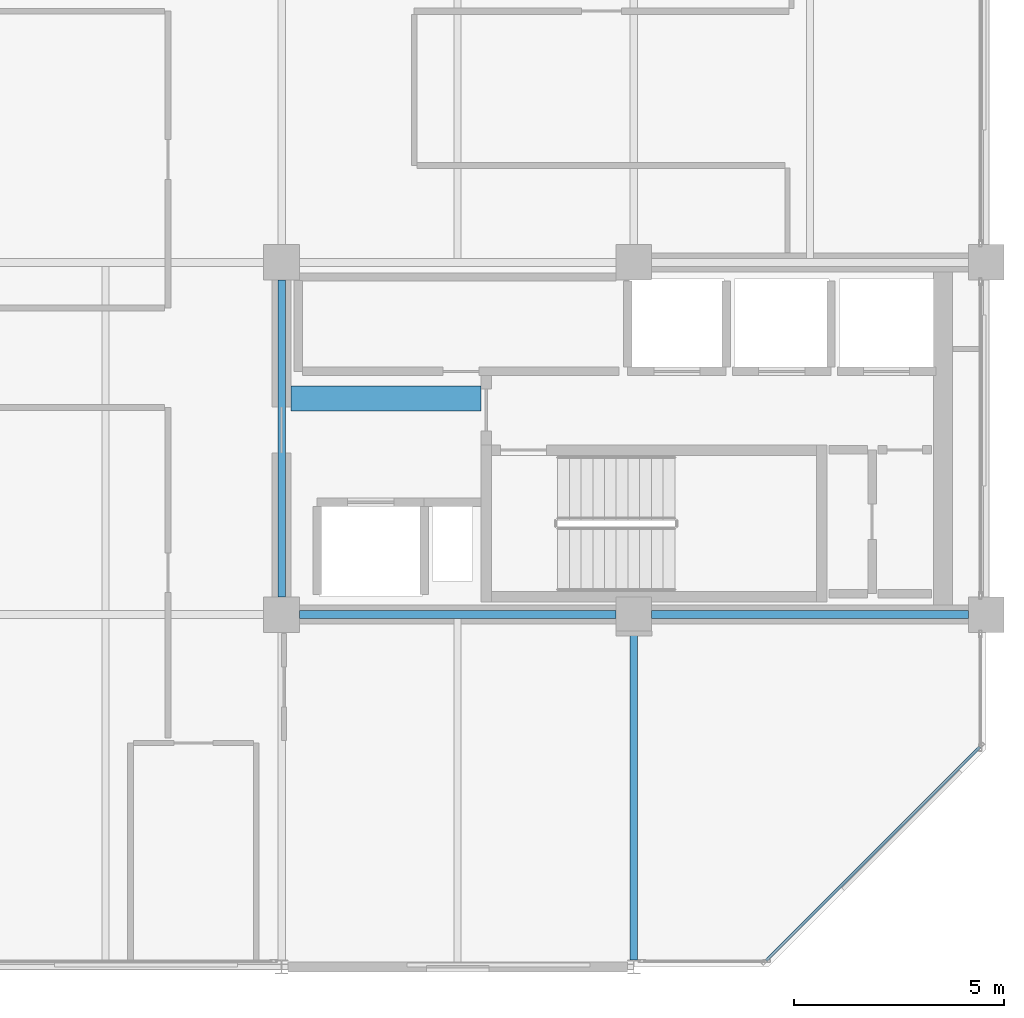
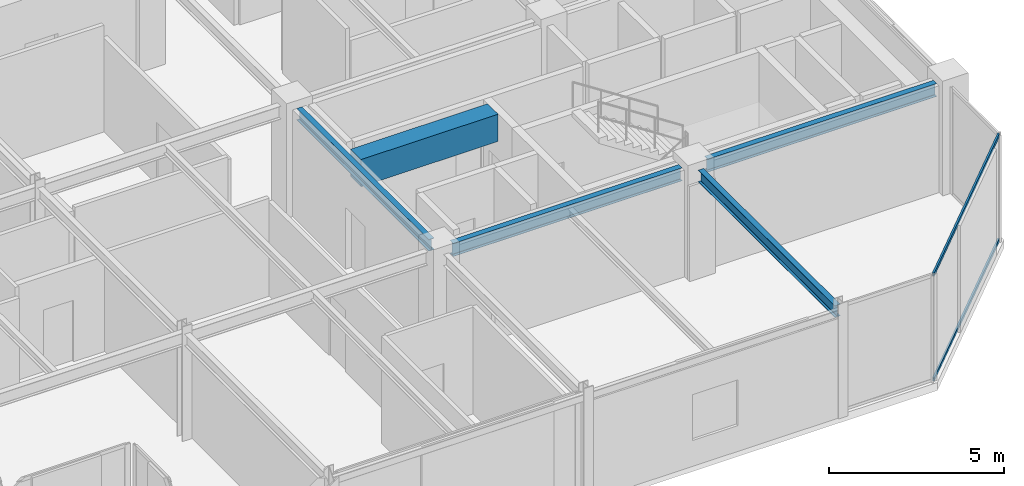
# One storey, part 8 of 24: 5 beams, 2 members, 1 element without a shape of its own.
"""IFC4 building model written with IfcOpenShell, lengths in metres."""

from ifc_helpers import new_model, si_unit, direction, frame, origin, origin_2d, place, context, subcontext, project, spatial, rectangle, hollow_rectangle, i_section, extrude, material, layer, layer_set, material_profile, profile_set, type_object, element, aggregate, save


model = new_model("IFC4")

# Units and contexts
model_context = context("Model", 3, precision=1e-05, world=origin(), true_north=direction((0.0, 1.0)))
body_context = subcontext(model_context, "Body", "Model", "MODEL_VIEW")
ifc_project = project(units=[si_unit("LENGTHUNIT", "METRE"), si_unit("AREAUNIT", "SQUARE_METRE"), si_unit("VOLUMEUNIT", "CUBIC_METRE"), si_unit("PLANEANGLEUNIT", "RADIAN"), si_unit("MASSUNIT", "GRAM", prefix="KILO")], contexts=[model_context])

# Site, building, storey
site_placement = place(None, origin())
site = spatial("IfcSite", under=ifc_project, at=site_placement, CompositionType="ELEMENT")
building_placement = place(site_placement, origin())
building = spatial("IfcBuilding", under=site, at=building_placement, Name="Nerrivon Quay Data Exchange", CompositionType="ELEMENT")
storey_placement = place(building_placement, frame((0.0, 0.0, 310.199951171875)))
storey = spatial("IfcBuildingStorey", under=building, at=storey_placement, Name="L74", CompositionType="ELEMENT", Elevation=310.199951171875)

# Beams
ifc_material_1 = material(Name="Concrete N50 (50 MPa)", Category="concrete")
ifc_material_profile_1 = material_profile(ifc_material_1, rectangle(XDim=0.60009765625, YDim=0.949951171875, at=origin_2d()), Name="RC-CB-600x950")
ifc_profile_set_1 = profile_set([ifc_material_profile_1], Name="Concrete N50 (50 MPa)")
beam_type_1 = type_object("IfcBeamType", Name="BM-CB2-600x950", PredefinedType="LINTEL", material=ifc_profile_set_1)
beam_1_placement = place(storey_placement, frame((17.02490234375, 13.550048828125, 3.25), z_axis=(1.0, 0.0, 0.0), x_axis=(0.0, 1.0, 0.0)))
element("IfcBeam", 1, at=beam_1_placement, inside=storey, type_object=beam_type_1, Name="L74 East Core Coupling Beam", PredefinedType="LINTEL", context=body_context, shape_type="SweptSolid", body=[
    extrude(rectangle(XDim=0.60009765625, YDim=0.949951171875, at=origin_2d()), origin(), (0.0, 0.0, 1.0), 4.530029296875),
])
ifc_material_2 = material(Name="Steel Grade 350", Category="steel")
ifc_material_profile_2 = material_profile(ifc_material_2, i_section(OverallWidth=0.18994140625, OverallDepth=0.4541015625, WebThickness=0.008544921875, FlangeThickness=0.0126953125, FilletRadius=0.011474609375, at=origin_2d()), Name="460UB67.1")
ifc_profile_set_2 = profile_set([ifc_material_profile_2], Name="Steel Grade 350")
beam_type_2 = type_object("IfcBeamType", Name="BM-G6-460UB67", PredefinedType="BEAM", material=ifc_profile_set_2)
beam_2_placement = place(storey_placement, frame((17.22509765625, 8.39990234375, 3.498046875), z_axis=(1.0, 0.0, 0.0), x_axis=(0.0, 1.0, 0.0)))
element("IfcBeam", 2, at=beam_2_placement, inside=storey, type_object=beam_type_2, Name="L74 EW Girder Y=8.4 (16.8..25.2)", PredefinedType="BEAM", context=body_context, shape_type="SweptSolid", body=[
    extrude(i_section(OverallWidth=0.18994140625, OverallDepth=0.4541015625, WebThickness=0.008544921875, FlangeThickness=0.0126953125, FilletRadius=0.011474609375, at=origin_2d()), origin(), (0.0, 0.0, 1.0), 7.5498046875),
])
beam_3_placement = place(storey_placement, frame((25.625, 8.39990234375, 3.498046875), z_axis=(1.0, 0.0, 0.0), x_axis=(0.0, 1.0, 0.0)))
element("IfcBeam", 3, at=beam_3_placement, inside=storey, type_object=beam_type_2, Name="L74 EW Girder Y=8.4 (25.2..33.6)", PredefinedType="BEAM", context=body_context, shape_type="SweptSolid", body=[
    extrude(i_section(OverallWidth=0.18994140625, OverallDepth=0.4541015625, WebThickness=0.008544921875, FlangeThickness=0.0126953125, FilletRadius=0.011474609375, at=origin_2d()), origin(), (0.0, 0.0, 1.0), 7.550048828125),
])
ifc_material_profile_3 = material_profile(ifc_material_2, i_section(OverallWidth=0.177978515625, OverallDepth=0.406005859375, WebThickness=0.0078125, FlangeThickness=0.0126953125, FilletRadius=0.011474609375, at=origin_2d()), Name="410UB59.7")
ifc_profile_set_3 = profile_set([ifc_material_profile_3], Name="Steel Grade 350")
beam_type_3 = type_object("IfcBeamType", Name="BM-J1-410UB60", PredefinedType="JOIST", material=ifc_profile_set_3)
beam_4_placement = place(storey_placement, frame((16.800048828125, 8.824951171875, 3.52197265625), z_axis=(0.0, 1.0, 0.0), x_axis=(-1.0, 0.0, 0.0)))
element("IfcBeam", 4, at=beam_4_placement, inside=storey, type_object=beam_type_3, Name="L74 NS Girder X=16.8 (8.4..16.8)", PredefinedType="JOIST", context=body_context, shape_type="SweptSolid", body=[
    extrude(i_section(OverallWidth=0.177978515625, OverallDepth=0.406005859375, WebThickness=0.0078125, FlangeThickness=0.0126953125, FilletRadius=0.011474609375, at=origin_2d()), origin(), (0.0, 0.0, 1.0), 7.550048828125),
])
beam_5_placement = place(storey_placement, frame((25.199951171875, 0.16357421875, 3.52197265625), z_axis=(0.0, 1.0, 0.0), x_axis=(-1.0, 0.0, 0.0)))
element("IfcBeam", 5, at=beam_5_placement, inside=storey, type_object=beam_type_3, Name="L74 NS Girder X=25.2 (0.0..8.4)", PredefinedType="JOIST", context=body_context, shape_type="SweptSolid", body=[
    extrude(i_section(OverallWidth=0.177978515625, OverallDepth=0.406005859375, WebThickness=0.0078125, FlangeThickness=0.0126953125, FilletRadius=0.011474609375, at=origin_2d()), origin(), (0.0, 0.0, 1.0), 7.8115234375),
])

# Curtain wall, members
ifc_material_3 = material(Name="Anodised aluminium 6063-T6", Category="aluminium")
ifc_layer = layer(ifc_material_3, 0.195068359375)
ifc_layer_set = layer_set([ifc_layer], Name="Anodised aluminium 6063-T6")
curtain_wall_type = type_object("IfcCurtainWallType", Name="CW-SYS-06", PredefinedType="NOTDEFINED", material=ifc_layer_set)
curtain_wall_placement = place(storey_placement, origin())
curtain_wall = element("IfcCurtainWall", 6, at=curtain_wall_placement, inside=storey, type_object=curtain_wall_type, Name="L74 Unitised Curtain Wall 1", PredefinedType="NOTDEFINED")
ifc_material_profile_4 = material_profile(ifc_material_3, hollow_rectangle(XDim=0.06005859375, YDim=0.1201171875, WallThickness=0.003173828125, at=origin_2d()), Name="ALU-TRAN-120x60")
ifc_profile_set_4 = profile_set([ifc_material_profile_4], Name="Anodised aluminium 6063-T6")
member_type = type_object("IfcMemberType", Name="CWT-120x60", PredefinedType="USERDEFINED", material=ifc_profile_set_4)
member_1_placement = place(storey_placement, frame((33.447998046875, 5.245849609375, 0.032470703125), z_axis=(-0.707123726196, -0.707089835771, 0.0), x_axis=(0.707089835771, -0.707123726196, 0.0)))
member_1 = element("IfcMember", 7, at=member_1_placement, type_object=member_type, Name="CW06 transom 1.1", ObjectType="TRANSOM", PredefinedType="USERDEFINED", context=body_context, shape_type="SweptSolid", body=[
    extrude(hollow_rectangle(XDim=0.06005859375, YDim=0.1201171875, WallThickness=0.003173828125, at=origin_2d()), origin(), (0.0, 0.0, 1.0), 7.203857421875),
])
member_2_placement = place(storey_placement, frame((33.447998046875, 5.245849609375, 3.692626953125), z_axis=(-0.707123726196, -0.707089835771, 0.0), x_axis=(0.707089835771, -0.707123726196, 0.0)))
member_2 = element("IfcMember", 8, at=member_2_placement, type_object=member_type, Name="CW06 transom 1.2", ObjectType="TRANSOM", PredefinedType="USERDEFINED", context=body_context, shape_type="SweptSolid", body=[
    extrude(hollow_rectangle(XDim=0.06005859375, YDim=0.1201171875, WallThickness=0.003173828125, at=origin_2d()), origin(), (0.0, 0.0, 1.0), 7.203857421875),
])
aggregate(curtain_wall, [member_1, member_2])

save(model, "model.ifc")
